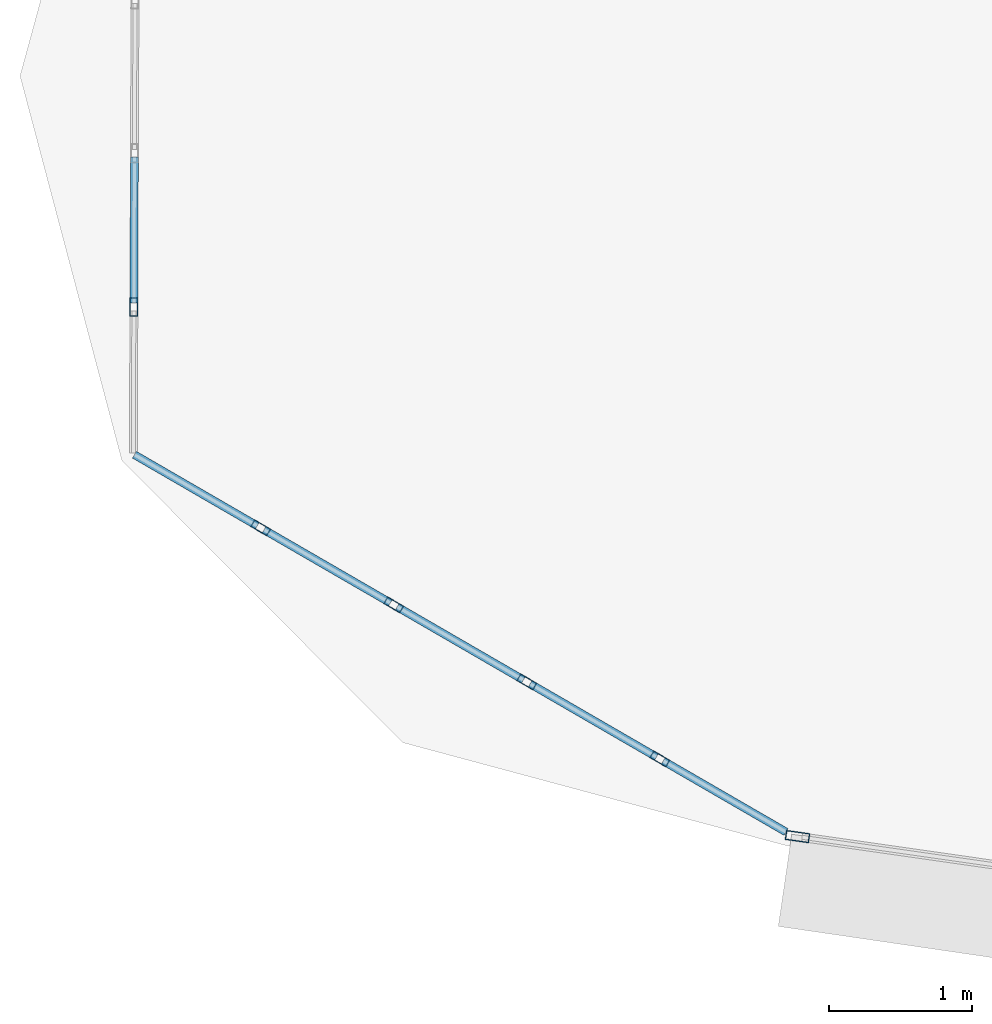
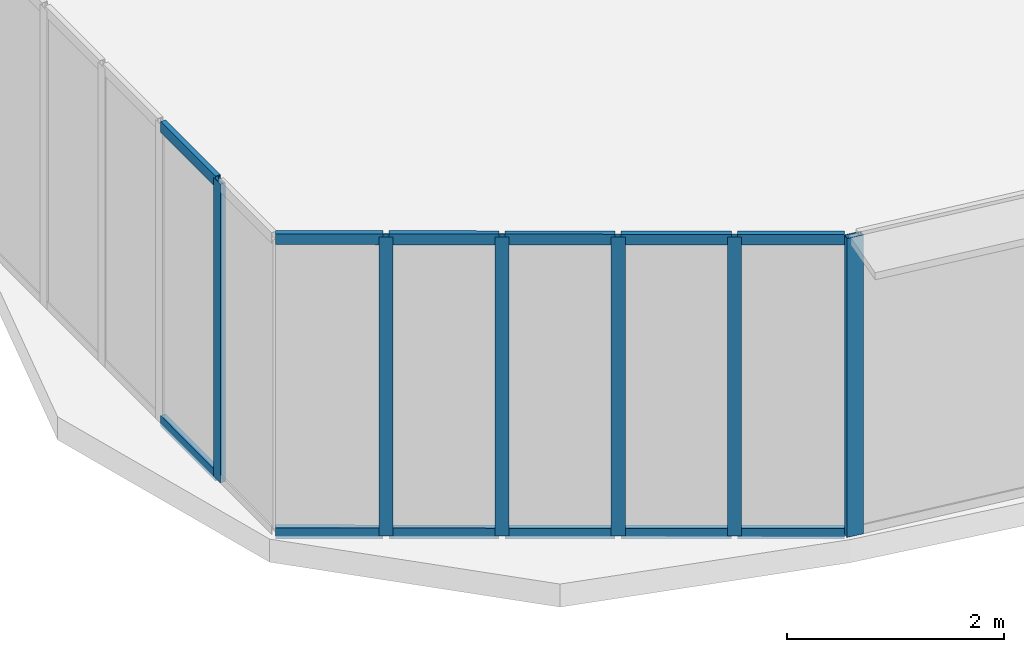
# One storey, part 2 of 42: 18 members, 3 elements without a shape of their own.
"""IFC4 building model written with IfcOpenShell, lengths in metres."""

from ifc_helpers import new_model, si_unit, direction, frame, origin, origin_2d, place, context, subcontext, project, spatial, hollow_rectangle, extrude, source, transform, mapped, material, layer, layer_set, material_profile, profile_set, type_object, element, aggregate, save


model = new_model("IFC4")

# Units and contexts
model_context = context("Model", 3, precision=1e-05, world=origin(), true_north=direction((0.0, 1.0)))
body_context = subcontext(model_context, "Body", "Model", "MODEL_VIEW")
ifc_project = project(units=[si_unit("LENGTHUNIT", "METRE"), si_unit("AREAUNIT", "SQUARE_METRE"), si_unit("VOLUMEUNIT", "CUBIC_METRE"), si_unit("PLANEANGLEUNIT", "RADIAN"), si_unit("MASSUNIT", "GRAM", prefix="KILO"), si_unit("THERMODYNAMICTEMPERATUREUNIT", "KELVIN"), si_unit("POWERUNIT", "WATT")], contexts=[model_context])

# Site, building, storey
site_placement = place(None, origin())
site = spatial("IfcSite", under=ifc_project, at=site_placement, CompositionType="ELEMENT")
building_placement = place(site_placement, origin())
building = spatial("IfcBuilding", under=site, at=building_placement, Name="Yunzhuo Pagoda Commons", CompositionType="ELEMENT")
storey_placement = place(building_placement, frame((0.0, 0.0, 41.2900390625)))
storey = spatial("IfcBuildingStorey", under=building, at=storey_placement, Name="L10", CompositionType="ELEMENT", Elevation=41.2900390625)

# Curtain wall, member
ifc_material = material(Name="Anodized aluminium 6063-T6", Category="aluminium")
ifc_layer_1 = layer(ifc_material, 0.1650390625)
ifc_layer_set_1 = layer_set([ifc_layer_1], Name="Anodized aluminium 6063-T6")
curtain_wall_type_1 = type_object("IfcCurtainWallType", Name="CW-LOW Low-Zone Ribbon Curtain Wall", PredefinedType="NOTDEFINED", material=ifc_layer_set_1)
curtain_wall_1_placement = place(storey_placement, origin())
curtain_wall_1 = element("IfcCurtainWall", 1, at=curtain_wall_1_placement, inside=storey, type_object=curtain_wall_type_1, Name="L10 curtain wall CW-L10-F1B1", PredefinedType="NOTDEFINED")
ifc_material_profile_1 = material_profile(ifc_material, hollow_rectangle(XDim=0.06494140625, YDim=0.1650390625, WallThickness=0.00390625, at=origin_2d()), Name="Anodized aluminium 6063-T6")
ifc_profile_set_1 = profile_set([ifc_material_profile_1], Name="Anodized aluminium 6063-T6")
member_type_1 = type_object("IfcMemberType", Name="CW-LOW-M Mullion RHS 165x65x4", PredefinedType="MULLION", material=ifc_profile_set_1)
shared_shape_1 = source(origin(), body_context, "Body", "SweptSolid", [
    extrude(hollow_rectangle(XDim=0.06494140625, YDim=0.1650390625, WallThickness=0.00390625, at=origin_2d()), origin(), (0.0, 0.0, 1.0), 3.369873046875),
])
member_1_placement = place(storey_placement, frame((9.364013671875, 14.39697265625, 0.0), z_axis=(0.0, 0.0, 1.0), x_axis=(0.141492753346, 0.989939291447, 0.0)))
member_1 = element("IfcMember", 2, at=member_1_placement, type_object=member_type_1, Name="CW mullion 1", PredefinedType="MULLION", context=body_context, shape_type="MappedRepresentation", body=[
    mapped(shared_shape_1, transform((0.0, 0.0, 0.0), scale=1.0)),
])
aggregate(curtain_wall_1, [member_1])

ifc_layer_2 = layer(ifc_material, 0.1298828125)
ifc_layer_set_2 = layer_set([ifc_layer_2], Name="Anodized aluminium 6063-T6")
curtain_wall_type_2 = type_object("IfcCurtainWallType", Name="CW-VTX Rounded Corner Curtain Wall", PredefinedType="NOTDEFINED", material=ifc_layer_set_2)
curtain_wall_2_placement = place(storey_placement, origin())
curtain_wall_2 = element("IfcCurtainWall", 3, at=curtain_wall_2_placement, inside=storey, type_object=curtain_wall_type_2, Name="L10 curtain wall CW-L10-VTX1S1", PredefinedType="NOTDEFINED")
ifc_material_profile_2 = material_profile(ifc_material, hollow_rectangle(XDim=0.054931640625, YDim=0.1298828125, WallThickness=0.00341796875, at=origin_2d()), Name="Anodized aluminium 6063-T6")
ifc_profile_set_2 = profile_set([ifc_material_profile_2], Name="Anodized aluminium 6063-T6")
member_type_2 = type_object("IfcMemberType", Name="CW-VTX-M Mullion RHS 130x55x3.5", PredefinedType="MULLION", material=ifc_profile_set_2)
shared_shape_2 = source(origin(), body_context, "Body", "SweptSolid", [
    extrude(hollow_rectangle(XDim=0.054931640625, YDim=0.1298828125, WallThickness=0.00341796875, at=origin_2d()), origin(), (0.0, 0.0, 1.0), 3.369873046875),
])
member_2_placement = place(storey_placement, frame((4.733154296875, 18.092529296875, 0.0), z_axis=(0.0, 0.0, 1.0), x_axis=(0.999993595138, -0.003579061808, 0.0)))
member_2 = element("IfcMember", 4, at=member_2_placement, type_object=member_type_2, Name="CW mullion 5", PredefinedType="MULLION", context=body_context, shape_type="MappedRepresentation", body=[
    mapped(shared_shape_2, transform((0.0, 0.0, 0.0), scale=1.0)),
])

# Curtain wall, members
curtain_wall_3_placement = place(storey_placement, origin())
curtain_wall_3 = element("IfcCurtainWall", 5, at=curtain_wall_3_placement, inside=storey, type_object=curtain_wall_type_2, Name="L10 curtain wall CW-L10-VTX1S2", PredefinedType="NOTDEFINED")
member_3_placement = place(storey_placement, frame((5.617919921875, 16.551513671875, 0.0), z_axis=(0.0, 0.0, 1.0), x_axis=(0.501041414295, 0.865423307498, 0.0)))
member_3 = element("IfcMember", 6, at=member_3_placement, type_object=member_type_2, Name="CW mullion 2", PredefinedType="MULLION", context=body_context, shape_type="MappedRepresentation", body=[
    mapped(shared_shape_2, transform((0.0, 0.0, 0.0), scale=1.0)),
])
member_4_placement = place(storey_placement, frame((6.54638671875, 16.013916015625, 0.0), z_axis=(0.0, 0.0, 1.0), x_axis=(0.501041414295, 0.865423307498, 0.0)))
member_4 = element("IfcMember", 7, at=member_4_placement, type_object=member_type_2, Name="CW mullion 3", PredefinedType="MULLION", context=body_context, shape_type="MappedRepresentation", body=[
    mapped(shared_shape_2, transform((0.0, 0.0, 0.0), scale=1.0)),
])
member_5_placement = place(storey_placement, frame((7.47509765625, 15.476318359375, 0.0), z_axis=(0.0, 0.0, 1.0), x_axis=(0.501041414295, 0.865423307498, 0.0)))
member_5 = element("IfcMember", 8, at=member_5_placement, type_object=member_type_2, Name="CW mullion 4", PredefinedType="MULLION", context=body_context, shape_type="MappedRepresentation", body=[
    mapped(shared_shape_2, transform((0.0, 0.0, 0.0), scale=1.0)),
])
member_6_placement = place(storey_placement, frame((8.4033203125, 14.93896484375, 0.0), z_axis=(0.0, 0.0, 1.0), x_axis=(0.501041414295, 0.865423307498, 0.0)))
member_6 = element("IfcMember", 9, at=member_6_placement, type_object=member_type_2, Name="CW mullion 5", PredefinedType="MULLION", context=body_context, shape_type="MappedRepresentation", body=[
    mapped(shared_shape_2, transform((0.0, 0.0, 0.0), scale=1.0)),
])

# Member
ifc_material_profile_3 = material_profile(ifc_material, hollow_rectangle(XDim=0.054931640625, YDim=0.1201171875, WallThickness=0.00341796875, at=origin_2d()), Name="Anodized aluminium 6063-T6")
ifc_profile_set_3 = profile_set([ifc_material_profile_3], Name="Anodized aluminium 6063-T6")
member_type_3 = type_object("IfcMemberType", Name="CW-VTX-T Transom RHS 120x55x3.5", PredefinedType="USERDEFINED", material=ifc_profile_set_3)
shared_shape_3 = source(origin(), body_context, "Body", "SweptSolid", [
    extrude(hollow_rectangle(XDim=0.054931640625, YDim=0.1201171875, WallThickness=0.00341796875, at=origin_2d()), origin(), (0.0, 0.0, 1.0), 1.01806640625),
])
member_7_placement = place(storey_placement, frame((4.73681640625, 19.13818359375, 0.02734375), z_axis=(-0.00359709903, -0.999993530418, 0.0), x_axis=(0.999993530418, -0.00359709903, 0.0)))
member_7 = element("IfcMember", 10, at=member_7_placement, type_object=member_type_3, Name="CW transom 4.1", ObjectType="TRANSOM", PredefinedType="USERDEFINED", context=body_context, shape_type="MappedRepresentation", body=[
    mapped(shared_shape_3, transform((0.0, 0.0, 0.0), scale=1.0)),
])

member_8_placement = place(storey_placement, frame((4.73681640625, 19.13818359375, 3.342529296875), z_axis=(-0.00359709903, -0.999993530418, 0.0), x_axis=(0.999993530418, -0.00359709903, 0.0)))
member_8 = element("IfcMember", 11, at=member_8_placement, type_object=member_type_3, Name="CW transom 4.2", ObjectType="TRANSOM", PredefinedType="USERDEFINED", context=body_context, shape_type="MappedRepresentation", body=[
    mapped(shared_shape_3, transform((0.0, 0.0, 0.0), scale=1.0)),
])

aggregate(curtain_wall_2, [member_2, member_7, member_8])

member_9_placement = place(storey_placement, frame((5.6416015625, 16.537841796875, 0.02734375), z_axis=(0.865470064702, -0.500960644268, 0.0), x_axis=(0.500960644268, 0.865470064702, 0.0)))
member_9 = element("IfcMember", 12, at=member_9_placement, type_object=member_type_3, Name="CW transom 2.1", ObjectType="TRANSOM", PredefinedType="USERDEFINED", context=body_context, shape_type="MappedRepresentation", body=[
    mapped(shared_shape_3, transform((0.0, 0.0, 0.0), scale=1.0)),
])

member_10_placement = place(storey_placement, frame((5.6416015625, 16.537841796875, 3.342529296875), z_axis=(0.865470064702, -0.500960644268, 0.0), x_axis=(0.500960644268, 0.865470064702, 0.0)))
member_10 = element("IfcMember", 13, at=member_10_placement, type_object=member_type_3, Name="CW transom 2.2", ObjectType="TRANSOM", PredefinedType="USERDEFINED", context=body_context, shape_type="MappedRepresentation", body=[
    mapped(shared_shape_3, transform((0.0, 0.0, 0.0), scale=1.0)),
])

member_11_placement = place(storey_placement, frame((7.498779296875, 15.462890625, 0.02734375), z_axis=(0.865305848027, -0.501244241235, 0.0), x_axis=(0.501244241235, 0.865305848027, 0.0)))
member_11 = element("IfcMember", 14, at=member_11_placement, type_object=member_type_3, Name="CW transom 4.1", ObjectType="TRANSOM", PredefinedType="USERDEFINED", context=body_context, shape_type="MappedRepresentation", body=[
    mapped(shared_shape_3, transform((0.0, 0.0, 0.0), scale=1.0)),
])

member_12_placement = place(storey_placement, frame((7.498779296875, 15.462890625, 3.342529296875), z_axis=(0.865305848027, -0.501244241235, 0.0), x_axis=(0.501244241235, 0.865305848027, 0.0)))
member_12 = element("IfcMember", 15, at=member_12_placement, type_object=member_type_3, Name="CW transom 4.2", ObjectType="TRANSOM", PredefinedType="USERDEFINED", context=body_context, shape_type="MappedRepresentation", body=[
    mapped(shared_shape_3, transform((0.0, 0.0, 0.0), scale=1.0)),
])

shared_shape_4 = source(origin(), body_context, "Body", "SweptSolid", [
    extrude(hollow_rectangle(XDim=0.054931640625, YDim=0.1201171875, WallThickness=0.00341796875, at=origin_2d()), origin(), (0.0, 0.0, 1.0), 0.990234375),
])
member_13_placement = place(storey_placement, frame((8.42724609375, 14.925048828125, 0.02734375), z_axis=(0.865437539194, -0.501016831807, 0.0), x_axis=(0.501016831807, 0.865437539194, 0.0)))
member_13 = element("IfcMember", 16, at=member_13_placement, type_object=member_type_3, Name="CW transom 5.1", ObjectType="TRANSOM", PredefinedType="USERDEFINED", context=body_context, shape_type="MappedRepresentation", body=[
    mapped(shared_shape_4, transform((0.0, 0.0, 0.0), scale=1.0)),
])

member_14_placement = place(storey_placement, frame((8.42724609375, 14.925048828125, 3.342529296875), z_axis=(0.865437539194, -0.501016831807, 0.0), x_axis=(0.501016831807, 0.865437539194, 0.0)))
member_14 = element("IfcMember", 17, at=member_14_placement, type_object=member_type_3, Name="CW transom 5.2", ObjectType="TRANSOM", PredefinedType="USERDEFINED", context=body_context, shape_type="MappedRepresentation", body=[
    mapped(shared_shape_4, transform((0.0, 0.0, 0.0), scale=1.0)),
])

shared_shape_5 = source(origin(), body_context, "Body", "SweptSolid", [
    extrude(hollow_rectangle(XDim=0.054931640625, YDim=0.1201171875, WallThickness=0.00341796875, at=origin_2d()), origin(), (0.0, 0.0, 1.0), 0.989990234375),
])
member_15_placement = place(storey_placement, frame((4.7373046875, 17.0615234375, 0.02734375), z_axis=(0.86537562756, -0.501123760388, 0.0), x_axis=(0.501123760388, 0.86537562756, 0.0)))
member_15 = element("IfcMember", 18, at=member_15_placement, type_object=member_type_3, Name="CW transom 1.1", ObjectType="TRANSOM", PredefinedType="USERDEFINED", context=body_context, shape_type="MappedRepresentation", body=[
    mapped(shared_shape_5, transform((0.0, 0.0, 0.0), scale=1.0)),
])

member_16_placement = place(storey_placement, frame((4.7373046875, 17.0615234375, 3.342529296875), z_axis=(0.86537562756, -0.501123760388, 0.0), x_axis=(0.501123760388, 0.86537562756, 0.0)))
member_16 = element("IfcMember", 19, at=member_16_placement, type_object=member_type_3, Name="CW transom 1.2", ObjectType="TRANSOM", PredefinedType="USERDEFINED", context=body_context, shape_type="MappedRepresentation", body=[
    mapped(shared_shape_5, transform((0.0, 0.0, 0.0), scale=1.0)),
])

shared_shape_6 = source(origin(), body_context, "Body", "SweptSolid", [
    extrude(hollow_rectangle(XDim=0.054931640625, YDim=0.1201171875, WallThickness=0.00341796875, at=origin_2d()), origin(), (0.0, 0.0, 1.0), 1.017578125),
])
member_17_placement = place(storey_placement, frame((6.570556640625, 16.000244140625, 0.02734375), z_axis=(0.86534962412, -0.501168662264, 0.0), x_axis=(0.501168662264, 0.86534962412, 0.0)))
member_17 = element("IfcMember", 20, at=member_17_placement, type_object=member_type_3, Name="CW transom 3.1", ObjectType="TRANSOM", PredefinedType="USERDEFINED", context=body_context, shape_type="MappedRepresentation", body=[
    mapped(shared_shape_6, transform((0.0, 0.0, 0.0), scale=1.0)),
])

member_18_placement = place(storey_placement, frame((6.570556640625, 16.000244140625, 3.342529296875), z_axis=(0.86534962412, -0.501168662264, 0.0), x_axis=(0.501168662264, 0.86534962412, 0.0)))
member_18 = element("IfcMember", 21, at=member_18_placement, type_object=member_type_3, Name="CW transom 3.2", ObjectType="TRANSOM", PredefinedType="USERDEFINED", context=body_context, shape_type="MappedRepresentation", body=[
    mapped(shared_shape_6, transform((0.0, 0.0, 0.0), scale=1.0)),
])

aggregate(curtain_wall_3, [member_3, member_4, member_5, member_6, member_15, member_16, member_9, member_10, member_17, member_18, member_11, member_12, member_13, member_14])

save(model, "model.ifc")
